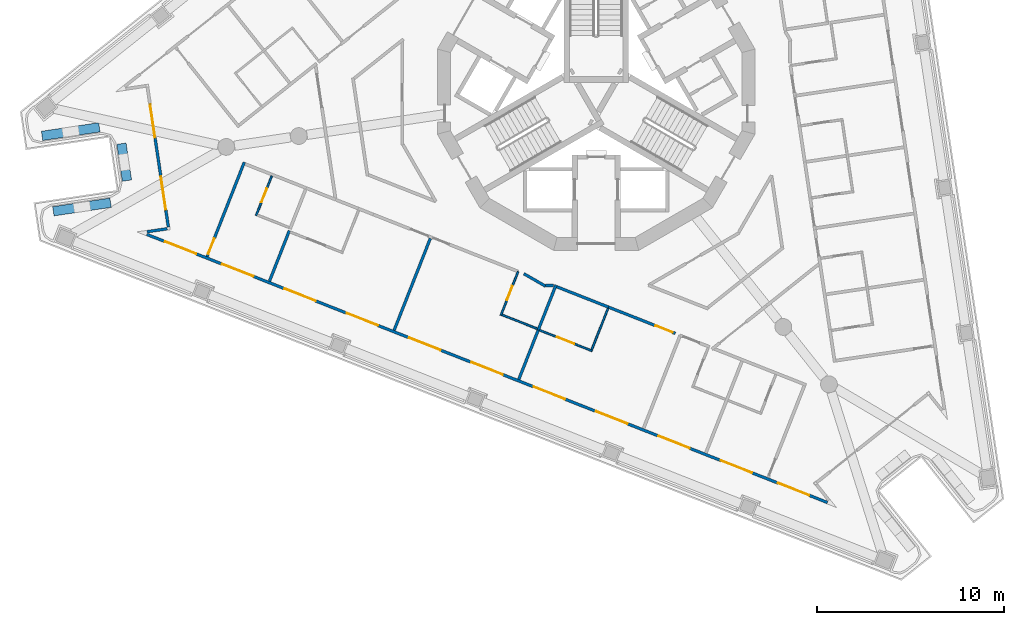
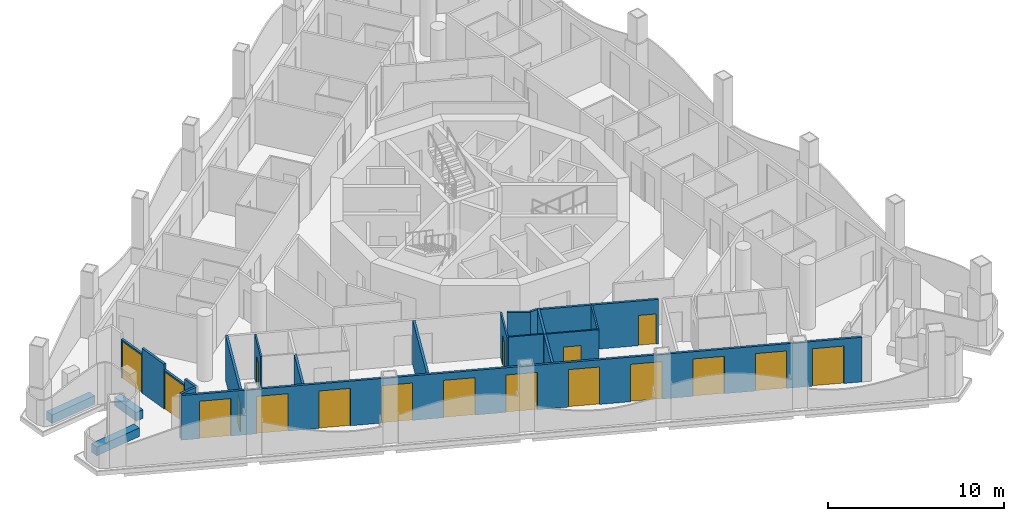
# One storey, part 2 of 16: 23 walls, 18 doors, 18 openings.
"""IFC4 building model written with IfcOpenShell, lengths in metres."""

from ifc_helpers import new_model, si_unit, direction, frame, frame_2d, origin, place, context, subcontext, project, spatial, polyline, rectangle, outline, extrude, material, layer, layer_set, type_object, element, fill, save


model = new_model("IFC4")

# Units and contexts
model_context = context("Model", 3, precision=1e-05, world=origin(), true_north=direction((0.0, 1.0)))
body_context = subcontext(model_context, "Body", "Model", "MODEL_VIEW")
ifc_project = project(units=[si_unit("LENGTHUNIT", "METRE"), si_unit("AREAUNIT", "SQUARE_METRE"), si_unit("VOLUMEUNIT", "CUBIC_METRE"), si_unit("PLANEANGLEUNIT", "RADIAN"), si_unit("MASSUNIT", "GRAM", prefix="KILO")], contexts=[model_context])

# Site, building, storey
site_placement = place(None, origin())
site = spatial("IfcSite", under=ifc_project, at=site_placement, CompositionType="ELEMENT")
building_placement = place(site_placement, origin())
building = spatial("IfcBuilding", under=site, at=building_placement, Name="Trine Commons Tower", CompositionType="ELEMENT")
storey_placement = place(building_placement, frame((0.0, 0.0, 226.800048828125)))
storey = spatial("IfcBuildingStorey", under=building, at=storey_placement, Name="L59", CompositionType="ELEMENT", Elevation=226.800048828125)

# Wall, openings, doors
ifc_material_1 = material(Name="Aluminium-framed insulated wall panel", Category="aluminium")
ifc_layer_1 = layer(ifc_material_1, 0.14990234375)
ifc_layer_set_1 = layer_set([ifc_layer_1], Name="Aluminium-framed insulated wall panel")
wall_type_1 = type_object("IfcWallType", Name="Glazed frame wall 150, EI 60", PredefinedType="SOLIDWALL", material=ifc_layer_set_1)
wall_1_placement = place(storey_placement, frame((92.513916015625, 40.4541015625, 0.0), z_axis=(0.0, 0.0, 1.0), x_axis=(-0.930417922313, 0.3665003272, 0.0)))
wall_1 = element("IfcWall", 1, at=wall_1_placement, inside=storey, type_object=wall_type_1, Name="Glazed frame wall F3", PredefinedType="SOLIDWALL", context=body_context, shape_type="SweptSolid", body=[
    extrude(outline(polyline([(0.1494140625, 0.074951171875), (0.1494140625, -0.074951171875), (39.296875, -0.074951171875), (39.296875, 0.074951171875), (0.1494140625, 0.074951171875)])), origin(), (0.0, 0.0, 1.0), 3.099853515625),
])
opening_1_placement = place(wall_1_placement, frame((1.193115234375, 0.0, 0.0)))
opening_1 = element("IfcOpeningElement", 2, at=opening_1_placement, cuts=wall_1, Name="Opening BD-6F3-01", PredefinedType="OPENING", context=body_context, shape_type="SweptSolid", body=[
    extrude(rectangle(XDim=1.800048828125, YDim=2.60009765625, at=frame_2d((0.89990234375, 1.300048828125))), frame((0.0, 0.0849609375, 0.0), z_axis=(0.0, -1.0, 0.0), x_axis=(1.0, 0.0, 0.0)), (0.0, 0.0, 1.0), 0.169921875),
])
opening_2_placement = place(wall_1_placement, frame((4.47900390625, 0.0, 0.0)))
opening_2 = element("IfcOpeningElement", 3, at=opening_2_placement, cuts=wall_1, Name="Opening BD-6F3-02", PredefinedType="OPENING", context=body_context, shape_type="SweptSolid", body=[
    extrude(rectangle(XDim=1.800048828125, YDim=2.60009765625, at=frame_2d((0.89990234375, 1.300048828125))), frame((0.0, 0.0849609375, 0.0), z_axis=(0.0, -1.0, 0.0), x_axis=(1.0, 0.0, 0.0)), (0.0, 0.0, 1.0), 0.169921875),
])
opening_3_placement = place(wall_1_placement, frame((8.06494140625, 0.0, 0.0)))
opening_3 = element("IfcOpeningElement", 4, at=opening_3_placement, cuts=wall_1, Name="Opening BD-6F3-03", PredefinedType="OPENING", context=body_context, shape_type="SweptSolid", body=[
    extrude(rectangle(XDim=1.800048828125, YDim=2.60009765625, at=frame_2d((0.89990234375, 1.300048828125))), frame((0.0, 0.0849609375, 0.0), z_axis=(0.0, -1.0, 0.0), x_axis=(1.0, 0.0, 0.0)), (0.0, 0.0, 1.0), 0.169921875),
])
opening_4_placement = place(wall_1_placement, frame((11.65087890625, 0.0, 0.0)))
opening_4 = element("IfcOpeningElement", 5, at=opening_4_placement, cuts=wall_1, Name="Opening BD-6F3-04", PredefinedType="OPENING", context=body_context, shape_type="SweptSolid", body=[
    extrude(rectangle(XDim=1.800048828125, YDim=2.60009765625, at=frame_2d((0.89990234375, 1.300048828125))), frame((0.0, 0.0849609375, 0.0), z_axis=(0.0, -1.0, 0.0), x_axis=(1.0, 0.0, 0.0)), (0.0, 0.0, 1.0), 0.169921875),
])
opening_5_placement = place(wall_1_placement, frame((15.237060546875, 0.0, 0.0)))
opening_5 = element("IfcOpeningElement", 6, at=opening_5_placement, cuts=wall_1, Name="Opening BD-6F3-05", PredefinedType="OPENING", context=body_context, shape_type="SweptSolid", body=[
    extrude(rectangle(XDim=1.800048828125, YDim=2.60009765625, at=frame_2d((0.89990234375, 1.300048828125))), frame((0.0, 0.0849609375, 0.0), z_axis=(0.0, -1.0, 0.0), x_axis=(1.0, 0.0, 0.0)), (0.0, 0.0, 1.0), 0.169921875),
])
opening_6_placement = place(wall_1_placement, frame((18.822998046875, 0.0, 0.0)))
opening_6 = element("IfcOpeningElement", 7, at=opening_6_placement, cuts=wall_1, Name="Opening BD-6F3-06", PredefinedType="OPENING", context=body_context, shape_type="SweptSolid", body=[
    extrude(rectangle(XDim=1.800048828125, YDim=2.60009765625, at=frame_2d((0.89990234375, 1.300048828125))), frame((0.0, 0.0849609375, 0.0), z_axis=(0.0, -1.0, 0.0), x_axis=(1.0, 0.0, 0.0)), (0.0, 0.0, 1.0), 0.169921875),
])
opening_7_placement = place(wall_1_placement, frame((22.408935546875, 0.0, 0.0)))
opening_7 = element("IfcOpeningElement", 8, at=opening_7_placement, cuts=wall_1, Name="Opening BD-6F3-07", PredefinedType="OPENING", context=body_context, shape_type="SweptSolid", body=[
    extrude(rectangle(XDim=1.800048828125, YDim=2.60009765625, at=frame_2d((0.89990234375, 1.300048828125))), frame((0.0, 0.0849609375, 0.0), z_axis=(0.0, -1.0, 0.0), x_axis=(1.0, 0.0, 0.0)), (0.0, 0.0, 1.0), 0.169921875),
])
opening_8_placement = place(wall_1_placement, frame((25.9951171875, 0.0, 0.0)))
opening_8 = element("IfcOpeningElement", 9, at=opening_8_placement, cuts=wall_1, Name="Opening BD-6F3-08", PredefinedType="OPENING", context=body_context, shape_type="SweptSolid", body=[
    extrude(rectangle(XDim=1.800048828125, YDim=2.60009765625, at=frame_2d((0.89990234375, 1.300048828125))), frame((0.0, 0.0849609375, 0.0), z_axis=(0.0, -1.0, 0.0), x_axis=(1.0, 0.0, 0.0)), (0.0, 0.0, 1.0), 0.169921875),
])
opening_9_placement = place(wall_1_placement, frame((29.5810546875, 0.0, 0.0)))
opening_9 = element("IfcOpeningElement", 10, at=opening_9_placement, cuts=wall_1, Name="Opening BD-6F3-09", PredefinedType="OPENING", context=body_context, shape_type="SweptSolid", body=[
    extrude(rectangle(XDim=1.800048828125, YDim=2.60009765625, at=frame_2d((0.89990234375, 1.300048828125))), frame((0.0, 0.0849609375, 0.0), z_axis=(0.0, -1.0, 0.0), x_axis=(1.0, 0.0, 0.0)), (0.0, 0.0, 1.0), 0.169921875),
])
opening_10_placement = place(wall_1_placement, frame((33.1669921875, 0.0, 0.0)))
opening_10 = element("IfcOpeningElement", 11, at=opening_10_placement, cuts=wall_1, Name="Opening BD-6F3-10", PredefinedType="OPENING", context=body_context, shape_type="SweptSolid", body=[
    extrude(rectangle(XDim=1.800048828125, YDim=2.60009765625, at=frame_2d((0.89990234375, 1.300048828125))), frame((0.0, 0.0849609375, 0.0), z_axis=(0.0, -1.0, 0.0), x_axis=(1.0, 0.0, 0.0)), (0.0, 0.0, 1.0), 0.169921875),
])
opening_11_placement = place(wall_1_placement, frame((36.452880859375, 0.0, 0.0)))
opening_11 = element("IfcOpeningElement", 12, at=opening_11_placement, cuts=wall_1, Name="Opening BD-6F3-11", PredefinedType="OPENING", context=body_context, shape_type="SweptSolid", body=[
    extrude(rectangle(XDim=1.800048828125, YDim=2.60009765625, at=frame_2d((0.89990234375, 1.300048828125))), frame((0.0, 0.0849609375, 0.0), z_axis=(0.0, -1.0, 0.0), x_axis=(1.0, 0.0, 0.0)), (0.0, 0.0, 1.0), 0.169921875),
])
ifc_material_2 = material(Name="Anodised aluminium frame with double glazing", Category="aluminium")
door_type_1 = type_object("IfcDoorType", Name="Sliding loggia door 1800x2600", OperationType="SLIDING_TO_LEFT", PredefinedType="DOOR", material=ifc_material_2)
door_1_placement = place(opening_1_placement, origin())
door_1 = element("IfcDoor", 13, at=door_1_placement, inside=storey, type_object=door_type_1, Name="Loggia door F3 1", OperationType="SLIDING_TO_LEFT", OverallHeight=2.60009765625, OverallWidth=1.800048828125, PredefinedType="DOOR", context=body_context, shape_type="SweptSolid", body=[
    extrude(rectangle(XDim=1.800048828125, YDim=2.60009765625, at=frame_2d((0.89990234375, 1.300048828125))), frame((0.0, 0.02490234375, 0.0), z_axis=(0.0, -1.0, 0.0), x_axis=(1.0, 0.0, 0.0)), (0.0, 0.0, 1.0), 0.050048828125),
])
fill(opening_1, door_1)
door_2_placement = place(opening_2_placement, origin())
door_2 = element("IfcDoor", 14, at=door_2_placement, inside=storey, type_object=door_type_1, Name="Loggia door F3 2", OperationType="SLIDING_TO_LEFT", OverallHeight=2.60009765625, OverallWidth=1.800048828125, PredefinedType="DOOR", context=body_context, shape_type="SweptSolid", body=[
    extrude(rectangle(XDim=1.800048828125, YDim=2.60009765625, at=frame_2d((0.89990234375, 1.300048828125))), frame((0.0, 0.02490234375, 0.0), z_axis=(0.0, -1.0, 0.0), x_axis=(1.0, 0.0, 0.0)), (0.0, 0.0, 1.0), 0.050048828125),
])
fill(opening_2, door_2)
door_3_placement = place(opening_3_placement, origin())
door_3 = element("IfcDoor", 15, at=door_3_placement, inside=storey, type_object=door_type_1, Name="Loggia door F3 3", OperationType="SLIDING_TO_LEFT", OverallHeight=2.60009765625, OverallWidth=1.800048828125, PredefinedType="DOOR", context=body_context, shape_type="SweptSolid", body=[
    extrude(rectangle(XDim=1.800048828125, YDim=2.60009765625, at=frame_2d((0.89990234375, 1.300048828125))), frame((0.0, 0.02490234375, 0.0), z_axis=(0.0, -1.0, 0.0), x_axis=(1.0, 0.0, 0.0)), (0.0, 0.0, 1.0), 0.050048828125),
])
fill(opening_3, door_3)
door_4_placement = place(opening_4_placement, origin())
door_4 = element("IfcDoor", 16, at=door_4_placement, inside=storey, type_object=door_type_1, Name="Loggia door F3 4", OperationType="SLIDING_TO_LEFT", OverallHeight=2.60009765625, OverallWidth=1.800048828125, PredefinedType="DOOR", context=body_context, shape_type="SweptSolid", body=[
    extrude(rectangle(XDim=1.800048828125, YDim=2.60009765625, at=frame_2d((0.89990234375, 1.300048828125))), frame((0.0, 0.02490234375, 0.0), z_axis=(0.0, -1.0, 0.0), x_axis=(1.0, 0.0, 0.0)), (0.0, 0.0, 1.0), 0.050048828125),
])
fill(opening_4, door_4)
door_5_placement = place(opening_5_placement, origin())
door_5 = element("IfcDoor", 17, at=door_5_placement, inside=storey, type_object=door_type_1, Name="Loggia door F3 5", OperationType="SLIDING_TO_LEFT", OverallHeight=2.60009765625, OverallWidth=1.800048828125, PredefinedType="DOOR", context=body_context, shape_type="SweptSolid", body=[
    extrude(rectangle(XDim=1.800048828125, YDim=2.60009765625, at=frame_2d((0.89990234375, 1.300048828125))), frame((0.0, 0.02490234375, 0.0), z_axis=(0.0, -1.0, 0.0), x_axis=(1.0, 0.0, 0.0)), (0.0, 0.0, 1.0), 0.050048828125),
])
fill(opening_5, door_5)
door_6_placement = place(opening_6_placement, origin())
door_6 = element("IfcDoor", 18, at=door_6_placement, inside=storey, type_object=door_type_1, Name="Loggia door F3 6", OperationType="SLIDING_TO_LEFT", OverallHeight=2.60009765625, OverallWidth=1.800048828125, PredefinedType="DOOR", context=body_context, shape_type="SweptSolid", body=[
    extrude(rectangle(XDim=1.800048828125, YDim=2.60009765625, at=frame_2d((0.89990234375, 1.300048828125))), frame((0.0, 0.02490234375, 0.0), z_axis=(0.0, -1.0, 0.0), x_axis=(1.0, 0.0, 0.0)), (0.0, 0.0, 1.0), 0.050048828125),
])
fill(opening_6, door_6)
door_7_placement = place(opening_7_placement, origin())
door_7 = element("IfcDoor", 19, at=door_7_placement, inside=storey, type_object=door_type_1, Name="Loggia door F3 7", OperationType="SLIDING_TO_LEFT", OverallHeight=2.60009765625, OverallWidth=1.800048828125, PredefinedType="DOOR", context=body_context, shape_type="SweptSolid", body=[
    extrude(rectangle(XDim=1.800048828125, YDim=2.60009765625, at=frame_2d((0.89990234375, 1.300048828125))), frame((0.0, 0.02490234375, 0.0), z_axis=(0.0, -1.0, 0.0), x_axis=(1.0, 0.0, 0.0)), (0.0, 0.0, 1.0), 0.050048828125),
])
fill(opening_7, door_7)
door_8_placement = place(opening_8_placement, origin())
door_8 = element("IfcDoor", 20, at=door_8_placement, inside=storey, type_object=door_type_1, Name="Loggia door F3 8", OperationType="SLIDING_TO_LEFT", OverallHeight=2.60009765625, OverallWidth=1.800048828125, PredefinedType="DOOR", context=body_context, shape_type="SweptSolid", body=[
    extrude(rectangle(XDim=1.800048828125, YDim=2.60009765625, at=frame_2d((0.89990234375, 1.300048828125))), frame((0.0, 0.02490234375, 0.0), z_axis=(0.0, -1.0, 0.0), x_axis=(1.0, 0.0, 0.0)), (0.0, 0.0, 1.0), 0.050048828125),
])
fill(opening_8, door_8)
door_9_placement = place(opening_9_placement, origin())
door_9 = element("IfcDoor", 21, at=door_9_placement, inside=storey, type_object=door_type_1, Name="Loggia door F3 9", OperationType="SLIDING_TO_LEFT", OverallHeight=2.60009765625, OverallWidth=1.800048828125, PredefinedType="DOOR", context=body_context, shape_type="SweptSolid", body=[
    extrude(rectangle(XDim=1.800048828125, YDim=2.60009765625, at=frame_2d((0.89990234375, 1.300048828125))), frame((0.0, 0.02490234375, 0.0), z_axis=(0.0, -1.0, 0.0), x_axis=(1.0, 0.0, 0.0)), (0.0, 0.0, 1.0), 0.050048828125),
])
fill(opening_9, door_9)
door_10_placement = place(opening_10_placement, origin())
door_10 = element("IfcDoor", 22, at=door_10_placement, inside=storey, type_object=door_type_1, Name="Loggia door F3 10", OperationType="SLIDING_TO_LEFT", OverallHeight=2.60009765625, OverallWidth=1.800048828125, PredefinedType="DOOR", context=body_context, shape_type="SweptSolid", body=[
    extrude(rectangle(XDim=1.800048828125, YDim=2.60009765625, at=frame_2d((0.89990234375, 1.300048828125))), frame((0.0, 0.02490234375, 0.0), z_axis=(0.0, -1.0, 0.0), x_axis=(1.0, 0.0, 0.0)), (0.0, 0.0, 1.0), 0.050048828125),
])
fill(opening_10, door_10)
door_11_placement = place(opening_11_placement, origin())
door_11 = element("IfcDoor", 23, at=door_11_placement, inside=storey, type_object=door_type_1, Name="Loggia door F3 11", OperationType="SLIDING_TO_LEFT", OverallHeight=2.60009765625, OverallWidth=1.800048828125, PredefinedType="DOOR", context=body_context, shape_type="SweptSolid", body=[
    extrude(rectangle(XDim=1.800048828125, YDim=2.60009765625, at=frame_2d((0.89990234375, 1.300048828125))), frame((0.0, 0.02490234375, 0.0), z_axis=(0.0, -1.0, 0.0), x_axis=(1.0, 0.0, 0.0)), (0.0, 0.0, 1.0), 0.050048828125),
])
fill(opening_11, door_11)

# Walls
wall_2_placement = place(storey_placement, frame((55.8203125, 54.978515625, 0.0), z_axis=(0.0, 0.0, 1.0), x_axis=(0.98902141065, 0.147772288596, 0.0)))
element("IfcWall", 24, at=wall_2_placement, inside=storey, type_object=wall_type_1, Name="Glazed frame wall R10", PredefinedType="SOLIDWALL", context=body_context, shape_type="SweptSolid", body=[
    extrude(outline(polyline([(0.1494140625, 0.074951171875), (0.1494140625, -0.074951171875), (1.235107421875, -0.074951171875), (1.235107421875, 0.074951171875), (0.1494140625, 0.074951171875)])), origin(), (0.0, 0.0, 1.0), 3.099853515625),
])
wall_3_placement = place(storey_placement, frame((57.12109375, 55.137451171875, 0.0), z_axis=(0.0, 0.0, 1.0), x_axis=(-0.147946480694, 0.988995368468, 0.0)))
element("IfcWall", 25, at=wall_3_placement, inside=storey, type_object=wall_type_1, Name="Glazed frame wall P3.1", PredefinedType="SOLIDWALL", context=body_context, shape_type="SweptSolid", body=[
    extrude(outline(polyline([(0.110107421875, -0.074951171875), (1.0, -0.074951171875), (1.0, 0.074951171875), (0.110107421875, 0.074951171875), (0.110107421875, -0.074951171875)])), origin(), (0.0, 0.0, 1.0), 3.099853515625),
])

# Wall, opening, door
wall_4_placement = place(storey_placement, frame((56.97314453125, 56.12646484375, 0.0), z_axis=(0.0, 0.0, 1.0), x_axis=(-0.147768643441, 0.989021955275, 0.0)))
wall_4 = element("IfcWall", 26, at=wall_4_placement, inside=storey, type_object=wall_type_1, Name="Glazed frame wall P3.2", PredefinedType="SOLIDWALL", context=body_context, shape_type="SweptSolid", body=[
    extrude(outline(polyline([(0.0, -0.074951171875), (1.89990234375, -0.074951171875), (1.89990234375, 0.074951171875), (0.0, 0.074951171875), (0.0, -0.074951171875)])), origin(), (0.0, 0.0, 1.0), 2.699951171875),
])
opening_12_placement = place(wall_4_placement, frame((0.050048828125, 0.0, 0.0)))
opening_12 = element("IfcOpeningElement", 27, at=opening_12_placement, cuts=wall_4, Name="Opening BD-6P3-01", PredefinedType="OPENING", context=body_context, shape_type="SweptSolid", body=[
    extrude(rectangle(XDim=1.800048828125, YDim=2.60009765625, at=frame_2d((0.89990234375, 1.300048828125))), frame((0.0, 0.0849609375, 0.0), z_axis=(0.0, -1.0, 0.0), x_axis=(1.0, 0.0, 0.0)), (0.0, 0.0, 1.0), 0.169921875),
])
door_12_placement = place(opening_12_placement, origin())
door_12 = element("IfcDoor", 28, at=door_12_placement, inside=storey, type_object=door_type_1, Name="Loggia door P3 1", OperationType="SLIDING_TO_LEFT", OverallHeight=2.60009765625, OverallWidth=1.800048828125, PredefinedType="DOOR", context=body_context, shape_type="SweptSolid", body=[
    extrude(rectangle(XDim=1.800048828125, YDim=2.60009765625, at=frame_2d((0.89990234375, 1.300048828125))), frame((0.0, 0.02490234375, 0.0), z_axis=(0.0, -1.0, 0.0), x_axis=(1.0, 0.0, 0.0)), (0.0, 0.0, 1.0), 0.050048828125),
])
fill(opening_12, door_12)

# Wall
wall_5_placement = place(storey_placement, frame((56.6923828125, 58.005615234375, 0.0), z_axis=(0.0, 0.0, 1.0), x_axis=(-0.147827081252, 0.989013222383, 0.0)))
element("IfcWall", 29, at=wall_5_placement, inside=storey, type_object=wall_type_1, Name="Glazed frame wall P3.3", PredefinedType="SOLIDWALL", context=body_context, shape_type="SweptSolid", body=[
    extrude(outline(polyline([(0.0, -0.074951171875), (2.0, -0.074951171875), (2.0, 0.074951171875), (0.0, 0.074951171875), (0.0, -0.074951171875)])), origin(), (0.0, 0.0, 1.0), 3.099853515625),
])

# Wall, opening, door
wall_6_placement = place(storey_placement, frame((56.396728515625, 59.983642578125, 0.0), z_axis=(0.0, 0.0, 1.0), x_axis=(-0.147768643441, 0.989021955275, 0.0)))
wall_6 = element("IfcWall", 30, at=wall_6_placement, inside=storey, type_object=wall_type_1, Name="Glazed frame wall P3.4", PredefinedType="SOLIDWALL", context=body_context, shape_type="SweptSolid", body=[
    extrude(outline(polyline([(0.0, -0.074951171875), (1.89990234375, -0.074951171875), (1.89990234375, 0.074951171875), (0.0, 0.074951171875), (0.0, -0.074951171875)])), origin(), (0.0, 0.0, 1.0), 2.699951171875),
])
opening_13_placement = place(wall_6_placement, frame((0.050048828125, 0.0, 0.0)))
opening_13 = element("IfcOpeningElement", 31, at=opening_13_placement, cuts=wall_6, Name="Opening BD-6P3-02", PredefinedType="OPENING", context=body_context, shape_type="SweptSolid", body=[
    extrude(rectangle(XDim=1.800048828125, YDim=2.60009765625, at=frame_2d((0.89990234375, 1.300048828125))), frame((0.0, 0.0849609375, 0.0), z_axis=(0.0, -1.0, 0.0), x_axis=(1.0, 0.0, 0.0)), (0.0, 0.0, 1.0), 0.169921875),
])
door_13_placement = place(opening_13_placement, origin())
door_13 = element("IfcDoor", 32, at=door_13_placement, inside=storey, type_object=door_type_1, Name="Loggia door P3 2", OperationType="SLIDING_TO_LEFT", OverallHeight=2.60009765625, OverallWidth=1.800048828125, PredefinedType="DOOR", context=body_context, shape_type="SweptSolid", body=[
    extrude(rectangle(XDim=1.800048828125, YDim=2.60009765625, at=frame_2d((0.89990234375, 1.300048828125))), frame((0.0, 0.02490234375, 0.0), z_axis=(0.0, -1.0, 0.0), x_axis=(1.0, 0.0, 0.0)), (0.0, 0.0, 1.0), 0.050048828125),
])
fill(opening_13, door_13)

# Walls
ifc_material_3 = material(Name="Planter trough, precast concrete C40/50", Category="concrete")
ifc_layer_2 = layer(ifc_material_3, 0.5)
ifc_layer_set_2 = layer_set([ifc_layer_2], Name="Planter trough, precast concrete C40/50")
wall_type_2 = type_object("IfcWallType", Name="Planter trough 500x600", PredefinedType="PARAPET", material=ifc_layer_set_2)
wall_7_placement = place(storey_placement, frame((50.94677734375, 56.09521484375, 0.0), z_axis=(0.0, 0.0, 1.0), x_axis=(0.989011904818, 0.147835895942, 0.0)))
element("IfcWall", 33, at=wall_7_placement, inside=storey, type_object=wall_type_2, Name="Planter 1", PredefinedType="PARAPET", context=body_context, shape_type="SweptSolid", body=[
    extrude(rectangle(XDim=3.099853515625, YDim=0.5, at=frame_2d((1.5498046875, 0.0))), origin(), (0.0, 0.0, 1.0), 0.599853515625),
])
wall_8_placement = place(storey_placement, frame((54.887451171875, 57.73583984375, 0.0), z_axis=(0.0, 0.0, 1.0), x_axis=(-0.147827081252, 0.989013222383, 0.0)))
element("IfcWall", 34, at=wall_8_placement, inside=storey, type_object=wall_type_2, Name="Planter 2", PredefinedType="PARAPET", context=body_context, shape_type="SweptSolid", body=[
    extrude(rectangle(XDim=2.0, YDim=0.5, at=frame_2d((1.0, 0.0))), origin(), (0.0, 0.0, 1.0), 0.599853515625),
])
wall_9_placement = place(storey_placement, frame((53.409423828125, 60.588623046875, 0.0), z_axis=(0.0, 0.0, 1.0), x_axis=(-0.989013625991, -0.147824380951, 0.0)))
element("IfcWall", 35, at=wall_9_placement, inside=storey, type_object=wall_type_2, Name="Planter 3", PredefinedType="PARAPET", context=body_context, shape_type="SweptSolid", body=[
    extrude(rectangle(XDim=3.099853515625, YDim=0.5, at=frame_2d((1.5498046875, 0.0))), origin(), (0.0, 0.0, 1.0), 0.599853515625),
])

# Wall, opening, door
ifc_material_4 = material(Name="Gypsum plasterboard on steel stud", Category="steel")
ifc_layer_3 = layer(ifc_material_4, 0.14990234375)
ifc_layer_set_3 = layer_set([ifc_layer_3], Name="Gypsum plasterboard on steel stud")
wall_type_3 = type_object("IfcWallType", Name="Unit and corridor wall 150 mm, EI 60", PredefinedType="PARTITIONING", material=ifc_layer_set_3)
wall_10_placement = place(storey_placement, frame((59.1767578125, 53.666259765625, 0.0), z_axis=(0.0, 0.0, 1.0), x_axis=(0.366413764384, 0.930452015565, 0.0)))
wall_10 = element("IfcWall", 36, at=wall_10_placement, inside=storey, type_object=wall_type_3, Name="Partition 002", PredefinedType="PARTITIONING", context=body_context, shape_type="SweptSolid", body=[
    extrude(rectangle(XDim=5.435546875, YDim=0.14990234375, at=frame_2d((2.7177734375, 0.0))), origin(), (0.0, 0.0, 1.0), 3.099853515625),
])
opening_14_placement = place(wall_10_placement, frame((0.14990234375, 0.0, 0.0)))
opening_14 = element("IfcOpeningElement", 37, at=opening_14_placement, cuts=wall_10, Name="Opening D-6C25", PredefinedType="OPENING", context=body_context, shape_type="SweptSolid", body=[
    extrude(rectangle(XDim=0.89990234375, YDim=2.10009765625, at=frame_2d((0.449951171875, 1.050048828125))), frame((0.0, 0.0849609375, 0.0), z_axis=(0.0, -1.0, 0.0), x_axis=(1.0, 0.0, 0.0)), (0.0, 0.0, 1.0), 0.169921875),
])
ifc_material_5 = material(Name="Timber fire door set", Category="wood")
door_type_2 = type_object("IfcDoorType", Name="Bedroom door 900 x 2100, FD30S", OperationType="NOTDEFINED", PredefinedType="DOOR", material=ifc_material_5)
door_14_placement = place(opening_14_placement, frame((0.89990234375, 0.0, 0.0), z_axis=(0.0, 0.0, 1.0), x_axis=(-1.0, 0.0, 0.0)))
door_14 = element("IfcDoor", 38, at=door_14_placement, inside=storey, type_object=door_type_2, Name="Door D-6C25", OperationType="SINGLE_SWING_RIGHT", OverallHeight=2.10009765625, OverallWidth=0.89990234375, PredefinedType="DOOR", context=body_context, shape_type="SweptSolid", body=[
    extrude(rectangle(XDim=0.89990234375, YDim=2.10009765625, at=frame_2d((0.449951171875, 1.050048828125))), frame((0.0, 0.02490234375, 0.0), z_axis=(0.0, -1.0, 0.0), x_axis=(1.0, 0.0, 0.0)), (0.0, 0.0, 1.0), 0.050048828125),
])
fill(opening_14, door_14)

# Walls
wall_11_placement = place(storey_placement, frame((62.513671875, 52.352294921875, 0.0), z_axis=(0.0, 0.0, 1.0), x_axis=(0.366277970919, 0.930505479844, 0.0)))
element("IfcWall", 39, at=wall_11_placement, inside=storey, type_object=wall_type_3, Name="Partition 011", PredefinedType="PARTITIONING", context=body_context, shape_type="SweptSolid", body=[
    extrude(rectangle(XDim=2.909423828125, YDim=0.14990234375, at=frame_2d((1.45458984375, 0.0))), origin(), (0.0, 0.0, 1.0), 3.099853515625),
])
wall_12_placement = place(storey_placement, frame((69.185791015625, 49.72412109375, 0.0), z_axis=(0.0, 0.0, 1.0), x_axis=(0.366646905319, 0.930360170482, 0.0)))
element("IfcWall", 40, at=wall_12_placement, inside=storey, type_object=wall_type_3, Name="Partition 030", PredefinedType="PARTITIONING", context=body_context, shape_type="SweptSolid", body=[
    extrude(rectangle(XDim=5.28515625, YDim=0.14990234375, at=frame_2d((2.642578125, 0.0))), origin(), (0.0, 0.0, 1.0), 3.099853515625),
])
wall_13_placement = place(storey_placement, frame((75.858642578125, 47.09521484375, 0.0), z_axis=(0.0, 0.0, 1.0), x_axis=(0.366568536594, 0.930391051107, 0.0)))
element("IfcWall", 41, at=wall_13_placement, inside=storey, type_object=wall_type_3, Name="Partition 040", PredefinedType="PARTITIONING", context=body_context, shape_type="SweptSolid", body=[
    extrude(rectangle(XDim=2.909912109375, YDim=0.14990234375, at=frame_2d((1.455078125, 0.0))), origin(), (0.0, 0.0, 1.0), 3.099853515625),
])
wall_14_placement = place(storey_placement, frame((76.131103515625, 52.75390625, 0.0), z_axis=(0.0, 0.0, 1.0), x_axis=(0.865910926182, -0.500198228624, 0.0)))
element("IfcWall", 42, at=wall_14_placement, inside=storey, type_object=wall_type_3, Name="Partition 041", PredefinedType="PARTITIONING", context=body_context, shape_type="SweptSolid", body=[
    extrude(rectangle(XDim=1.33251953125, YDim=0.14990234375, at=frame_2d((0.666259765625, 0.0))), origin(), (0.0, 0.0, 1.0), 3.099853515625),
])
wall_15_placement = place(storey_placement, frame((76.896728515625, 49.73046875, 0.0), z_axis=(0.0, 0.0, 1.0), x_axis=(0.366841902322, 0.930283300238, 0.0)))
element("IfcWall", 43, at=wall_15_placement, inside=storey, type_object=wall_type_3, Name="Partition 043", PredefinedType="PARTITIONING", context=body_context, shape_type="SweptSolid", body=[
    extrude(rectangle(XDim=2.602783203125, YDim=0.14990234375, at=frame_2d((1.30126953125, 0.0))), origin(), (0.0, 0.0, 1.0), 3.099853515625),
])
wall_16_placement = place(storey_placement, frame((77.294921875, 52.125, 0.0), z_axis=(0.0, 0.0, 1.0), x_axis=(1.0, 0.0, 0.0)))
element("IfcWall", 44, at=wall_16_placement, inside=storey, type_object=wall_type_3, Name="Partition 045", PredefinedType="PARTITIONING", context=body_context, shape_type="SweptSolid", body=[
    extrude(rectangle(XDim=0.43212890625, YDim=0.14990234375, at=frame_2d((0.216064453125, 0.0))), origin(), (0.0, 0.0, 1.0), 3.099853515625),
])
wall_17_placement = place(storey_placement, frame((77.890869140625, 52.056396484375, 0.0), z_axis=(0.0, 0.0, 1.0), x_axis=(0.930473535622, -0.366359112767, 0.0)))
element("IfcWall", 45, at=wall_17_placement, inside=storey, type_object=wall_type_3, Name="Partition 049", PredefinedType="PARTITIONING", context=body_context, shape_type="SweptSolid", body=[
    extrude(rectangle(XDim=2.9814453125, YDim=0.14990234375, at=frame_2d((1.49072265625, 0.0))), origin(), (0.0, 0.0, 1.0), 3.099853515625),
])

# Wall, opening, door
wall_18_placement = place(storey_placement, frame((80.611572265625, 50.9853515625, 0.0), z_axis=(0.0, 0.0, 1.0), x_axis=(0.930335237283, -0.366710166574, 0.0)))
wall_18 = element("IfcWall", 46, at=wall_18_placement, inside=storey, type_object=wall_type_3, Name="Partition 055", PredefinedType="PARTITIONING", context=body_context, shape_type="SweptSolid", body=[
    extrude(rectangle(XDim=3.89794921875, YDim=0.14990234375, at=frame_2d((1.948974609375, 0.0))), origin(), (0.0, 0.0, 1.0), 3.099853515625),
])
opening_15_placement = place(wall_18_placement, frame((2.748046875, 0.0, 0.0)))
opening_15 = element("IfcOpeningElement", 47, at=opening_15_placement, cuts=wall_18, Name="Opening D-6C22", PredefinedType="OPENING", context=body_context, shape_type="SweptSolid", body=[
    extrude(rectangle(XDim=1.0, YDim=2.10009765625, at=frame_2d((0.5, 1.050048828125))), frame((0.0, 0.0849609375, 0.0), z_axis=(0.0, -1.0, 0.0), x_axis=(1.0, 0.0, 0.0)), (0.0, 0.0, 1.0), 0.169921875),
])
door_type_3 = type_object("IfcDoorType", Name="Bedroom door 1000 x 2100, FD30S", OperationType="NOTDEFINED", PredefinedType="DOOR", material=ifc_material_5)
door_15_placement = place(opening_15_placement, frame((1.0, 0.0, 0.0), z_axis=(0.0, 0.0, 1.0), x_axis=(-1.0, 0.0, 0.0)))
door_15 = element("IfcDoor", 48, at=door_15_placement, inside=storey, type_object=door_type_3, Name="Door D-6C22", OperationType="SINGLE_SWING_LEFT", OverallHeight=2.10009765625, OverallWidth=1.0, PredefinedType="DOOR", context=body_context, shape_type="SweptSolid", body=[
    extrude(rectangle(XDim=1.0, YDim=2.10009765625, at=frame_2d((0.5, 1.050048828125))), frame((0.0, 0.02490234375, 0.0), z_axis=(0.0, -1.0, 0.0), x_axis=(1.0, 0.0, 0.0)), (0.0, 0.0, 1.0), 0.050048828125),
])
fill(opening_15, door_15)

ifc_layer_4 = layer(ifc_material_4, 0.10009765625)
ifc_layer_set_4 = layer_set([ifc_layer_4], Name="Gypsum plasterboard on steel stud")
wall_type_4 = type_object("IfcWallType", Name="Unit partition 100 mm, no rating", PredefinedType="PARTITIONING", material=ifc_layer_set_4)
wall_19_placement = place(storey_placement, frame((61.8017578125, 55.867431640625, 0.0), z_axis=(0.0, 0.0, 1.0), x_axis=(0.366482291334, 0.930425026608, 0.0)))
wall_19 = element("IfcWall", 49, at=wall_19_placement, inside=storey, type_object=wall_type_4, Name="Partition 008", PredefinedType="PARTITIONING", context=body_context, shape_type="SweptSolid", body=[
    extrude(rectangle(XDim=2.27490234375, YDim=0.10009765625, at=frame_2d((1.137451171875, 0.0))), origin(), (0.0, 0.0, 1.0), 3.099853515625),
])
opening_16_placement = place(wall_19_placement, frame((0.762451171875, 0.0, 0.0)))
opening_16 = element("IfcOpeningElement", 50, at=opening_16_placement, cuts=wall_19, Name="Opening D-6C48", PredefinedType="OPENING", context=body_context, shape_type="SweptSolid", body=[
    extrude(rectangle(XDim=0.800048828125, YDim=2.10009765625, at=frame_2d((0.39990234375, 1.050048828125))), frame((0.0, 0.06005859375, 0.0), z_axis=(0.0, -1.0, 0.0), x_axis=(1.0, 0.0, 0.0)), (0.0, 0.0, 1.0), 0.1201171875),
])
ifc_material_6 = material(Name="Painted timber", Category="wood")
door_type_4 = type_object("IfcDoorType", Name="Internal door 800 x 2100, NOT RATED", OperationType="NOTDEFINED", PredefinedType="DOOR", material=ifc_material_6)
door_16_placement = place(opening_16_placement, origin())
door_16 = element("IfcDoor", 51, at=door_16_placement, inside=storey, type_object=door_type_4, Name="Door D-6C48", OperationType="SINGLE_SWING_RIGHT", OverallHeight=2.10009765625, OverallWidth=0.800048828125, PredefinedType="DOOR", context=body_context, shape_type="SweptSolid", body=[
    extrude(rectangle(XDim=0.800048828125, YDim=2.10009765625, at=frame_2d((0.39990234375, 1.050048828125))), frame((0.0, 0.02490234375, 0.0), z_axis=(0.0, -1.0, 0.0), x_axis=(1.0, 0.0, 0.0)), (0.0, 0.0, 1.0), 0.050048828125),
])
fill(opening_16, door_16)

wall_20_placement = place(storey_placement, frame((74.898681640625, 50.5224609375, 0.0), z_axis=(0.0, 0.0, 1.0), x_axis=(0.366346829808, 0.930478371747, 0.0)))
wall_20 = element("IfcWall", 52, at=wall_20_placement, inside=storey, type_object=wall_type_4, Name="Partition 038", PredefinedType="PARTITIONING", context=body_context, shape_type="SweptSolid", body=[
    extrude(rectangle(XDim=2.52294921875, YDim=0.10009765625, at=frame_2d((1.261474609375, 0.0))), origin(), (0.0, 0.0, 1.0), 3.099853515625),
])
opening_17_placement = place(wall_20_placement, frame((0.886474609375, 0.0, 0.0)))
opening_17 = element("IfcOpeningElement", 53, at=opening_17_placement, cuts=wall_20, Name="Opening D-6C46", PredefinedType="OPENING", context=body_context, shape_type="SweptSolid", body=[
    extrude(rectangle(XDim=0.800048828125, YDim=2.10009765625, at=frame_2d((0.39990234375, 1.050048828125))), frame((0.0, 0.06005859375, 0.0), z_axis=(0.0, -1.0, 0.0), x_axis=(1.0, 0.0, 0.0)), (0.0, 0.0, 1.0), 0.1201171875),
])
door_17_placement = place(opening_17_placement, origin())
door_17 = element("IfcDoor", 54, at=door_17_placement, inside=storey, type_object=door_type_4, Name="Door D-6C46", OperationType="SINGLE_SWING_RIGHT", OverallHeight=2.10009765625, OverallWidth=0.800048828125, PredefinedType="DOOR", context=body_context, shape_type="SweptSolid", body=[
    extrude(rectangle(XDim=0.800048828125, YDim=2.10009765625, at=frame_2d((0.39990234375, 1.050048828125))), frame((0.0, 0.02490234375, 0.0), z_axis=(0.0, -1.0, 0.0), x_axis=(1.0, 0.0, 0.0)), (0.0, 0.0, 1.0), 0.050048828125),
])
fill(opening_17, door_17)

# Wall
wall_21_placement = place(storey_placement, frame((74.96337890625, 50.55078125, 0.0), z_axis=(0.0, 0.0, 1.0), x_axis=(0.930393439386, -0.366562474823, 0.0)))
element("IfcWall", 55, at=wall_21_placement, inside=storey, type_object=wall_type_4, Name="Partition 039", PredefinedType="PARTITIONING", context=body_context, shape_type="SweptSolid", body=[
    extrude(rectangle(XDim=2.024658203125, YDim=0.10009765625, at=frame_2d((1.01220703125, 0.0))), origin(), (0.0, 0.0, 1.0), 3.099853515625),
])

# Wall, opening, door
wall_22_placement = place(storey_placement, frame((76.976806640625, 49.728515625, 0.0), z_axis=(0.0, 0.0, 1.0), x_axis=(0.930510944634, -0.36626408767, 0.0)))
wall_22 = element("IfcWall", 56, at=wall_22_placement, inside=storey, type_object=wall_type_4, Name="Partition 042", PredefinedType="PARTITIONING", context=body_context, shape_type="SweptSolid", body=[
    extrude(rectangle(XDim=3.02490234375, YDim=0.10009765625, at=frame_2d((1.512451171875, 0.0))), origin(), (0.0, 0.0, 1.0), 3.099853515625),
])
opening_18_placement = place(wall_22_placement, frame((0.9873046875, 0.0, 0.0)))
opening_18 = element("IfcOpeningElement", 57, at=opening_18_placement, cuts=wall_22, Name="Opening D-6C45", PredefinedType="OPENING", context=body_context, shape_type="SweptSolid", body=[
    extrude(rectangle(XDim=1.0, YDim=2.10009765625, at=frame_2d((0.5, 1.050048828125))), frame((0.0, 0.06005859375, 0.0), z_axis=(0.0, -1.0, 0.0), x_axis=(1.0, 0.0, 0.0)), (0.0, 0.0, 1.0), 0.1201171875),
])
door_type_5 = type_object("IfcDoorType", Name="Internal door 1000 x 2100, NOT RATED", OperationType="NOTDEFINED", PredefinedType="DOOR", material=ifc_material_6)
door_18_placement = place(opening_18_placement, frame((1.0, 0.0, 0.0), z_axis=(0.0, 0.0, 1.0), x_axis=(-1.0, 0.0, 0.0)))
door_18 = element("IfcDoor", 58, at=door_18_placement, inside=storey, type_object=door_type_5, Name="Door D-6C45", OperationType="SINGLE_SWING_RIGHT", OverallHeight=2.10009765625, OverallWidth=1.0, PredefinedType="DOOR", context=body_context, shape_type="SweptSolid", body=[
    extrude(rectangle(XDim=1.0, YDim=2.10009765625, at=frame_2d((0.5, 1.050048828125))), frame((0.0, 0.02490234375, 0.0), z_axis=(0.0, -1.0, 0.0), x_axis=(1.0, 0.0, 0.0)), (0.0, 0.0, 1.0), 0.050048828125),
])
fill(opening_18, door_18)

# Wall
wall_23_placement = place(storey_placement, frame((79.76318359375, 48.685546875, 0.0), z_axis=(0.0, 0.0, 1.0), x_axis=(0.366475978777, 0.930427513017, 0.0)))
element("IfcWall", 59, at=wall_23_placement, inside=storey, type_object=wall_type_4, Name="Partition 052", PredefinedType="PARTITIONING", context=body_context, shape_type="SweptSolid", body=[
    extrude(rectangle(XDim=2.375, YDim=0.10009765625, at=frame_2d((1.1875, 0.0))), origin(), (0.0, 0.0, 1.0), 3.099853515625),
])

save(model, "model.ifc")
